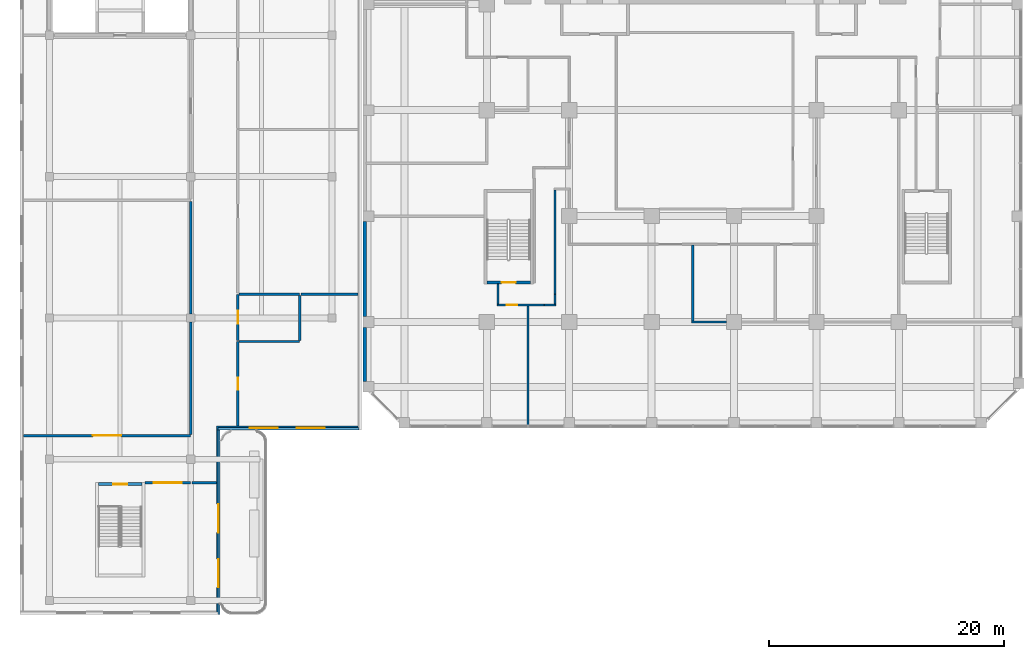
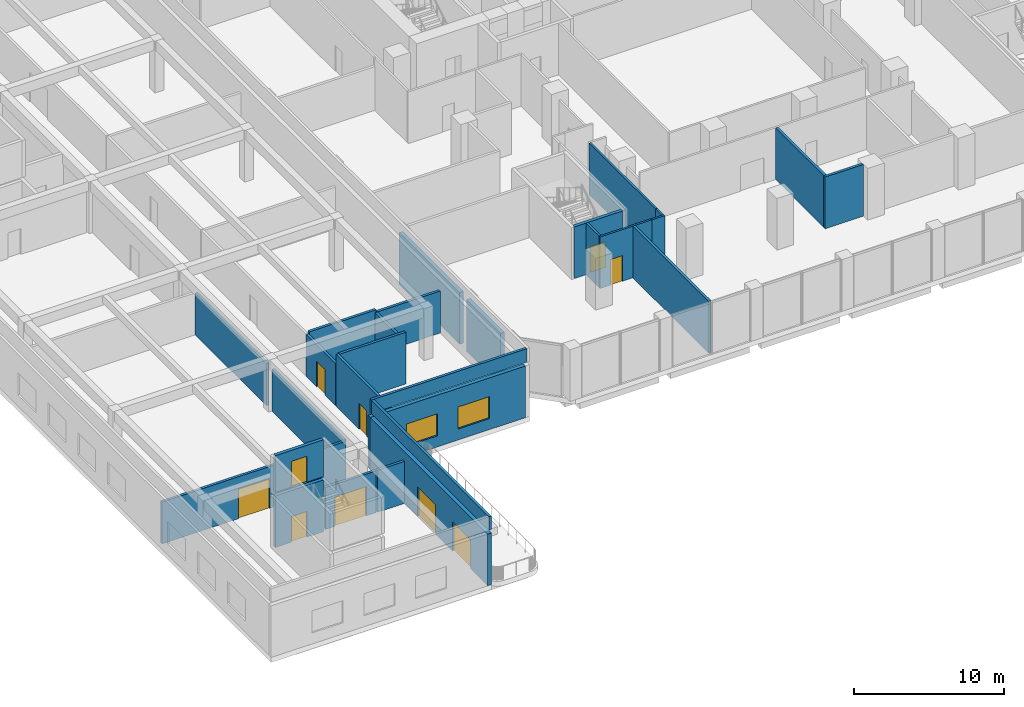
# One storey, part 13 of 35: 28 walls, 10 doors, 2 windows, 12 openings.
"""IFC4 building model written with IfcOpenShell, lengths in metres."""

from ifc_helpers import new_model, si_unit, direction, frame, frame_2d, origin, place, context, subcontext, project, spatial, rectangle, extrude, source, transform, mapped, material, layer, layer_set, type_object, element, fill, save


model = new_model("IFC4")

# Units and contexts
model_context = context("Model", 3, precision=1e-05, world=origin(), true_north=direction((0.0, 1.0)))
body_context = subcontext(model_context, "Body", "Model", "MODEL_VIEW")
ifc_project = project(units=[si_unit("LENGTHUNIT", "METRE"), si_unit("AREAUNIT", "SQUARE_METRE"), si_unit("VOLUMEUNIT", "CUBIC_METRE"), si_unit("PLANEANGLEUNIT", "RADIAN"), si_unit("MASSUNIT", "GRAM", prefix="KILO")], contexts=[model_context])

# Site, building, storey
site_placement = place(None, origin())
site = spatial("IfcSite", under=ifc_project, at=site_placement, CompositionType="ELEMENT")
building_placement = place(site_placement, origin())
building = spatial("IfcBuilding", under=site, at=building_placement, Name="Kilnfold Tower and Market Hall", CompositionType="ELEMENT")
storey_placement = place(building_placement, frame((0.0, 0.0, 22.5)))
storey = spatial("IfcBuildingStorey", under=building, at=storey_placement, Name="L04", CompositionType="ELEMENT", Elevation=22.5)

# Walls
ifc_material_1 = material(Name="Gypsum board on steel studs", Category="steel")
ifc_layer_1 = layer(ifc_material_1, 0.14990234375)
ifc_layer_set_1 = layer_set([ifc_layer_1], Name="Gypsum board on steel studs")
wall_type_1 = type_object("IfcWallType", Name="WALL CORRIDOR 150", PredefinedType="PARTITIONING", material=ifc_layer_set_1)
wall_1_placement = place(storey_placement, frame((-11.699951171875, -16.64794921875, 0.0), z_axis=(0.0, 0.0, 1.0), x_axis=(0.0, 1.0, 0.0)))
element("IfcWall", 1, at=wall_1_placement, inside=storey, type_object=wall_type_1, Name="Partition LY05.13", PredefinedType="PARTITIONING", context=body_context, shape_type="SweptSolid", body=[
    extrude(rectangle(XDim=8.873046875, YDim=0.14990234375, at=frame_2d((4.4365234375, 0.0))), origin(), (0.0, 0.0, 1.0), 4.219970703125),
])
wall_2_placement = place(storey_placement, frame((-11.697998046875, -17.47705078125, 0.0), z_axis=(0.0, 0.0, 1.0), x_axis=(0.0, 1.0, 0.0)))
element("IfcWall", 2, at=wall_2_placement, inside=storey, type_object=wall_type_1, Name="Partition LY05.14", PredefinedType="PARTITIONING", context=body_context, shape_type="SweptSolid", body=[
    extrude(rectangle(XDim=0.8291015625, YDim=0.14990234375, at=frame_2d((0.41455078125, 0.0))), origin(), (0.0, 0.0, 1.0), 4.219970703125),
])
wall_3_placement = place(storey_placement, frame((-12.60205078125, -17.552001953125, 0.0), z_axis=(0.0, 0.0, 1.0), x_axis=(1.0, 0.0, 0.0)))
element("IfcWall", 3, at=wall_3_placement, inside=storey, type_object=wall_type_1, Name="Partition LY05.15", PredefinedType="PARTITIONING", context=body_context, shape_type="SweptSolid", body=[
    extrude(rectangle(XDim=0.97900390625, YDim=0.14990234375, at=frame_2d((0.489501953125, 0.0))), origin(), (0.0, 0.0, 1.0), 4.219970703125),
])

# Wall, opening, door
wall_4_placement = place(storey_placement, frame((-16.625, -17.550048828125, 0.0), z_axis=(0.0, 0.0, 1.0), x_axis=(1.0, 0.0, 0.0)))
wall_4 = element("IfcWall", 4, at=wall_4_placement, inside=storey, type_object=wall_type_1, Name="Partition LY05.16", PredefinedType="PARTITIONING", context=body_context, shape_type="SweptSolid", body=[
    extrude(rectangle(XDim=4.02294921875, YDim=0.14990234375, at=frame_2d((2.011474609375, 0.0))), origin(), (0.0, 0.0, 1.0), 4.219970703125),
])
opening_1_placement = place(wall_4_placement, frame((0.81591796875, 0.0, 0.0)))
opening_1 = element("IfcOpeningElement", 5, at=opening_1_placement, cuts=wall_4, Name="Opening D3", PredefinedType="OPENING", context=body_context, shape_type="SweptSolid", body=[
    extrude(rectangle(XDim=0.89990234375, YDim=2.10009765625, at=frame_2d((0.449951171875, 1.050048828125))), frame((0.0, 0.0849609375, 0.0), z_axis=(0.0, -1.0, 0.0), x_axis=(1.0, 0.0, 0.0)), (0.0, 0.0, 1.0), 0.169921875),
])
ifc_material_2 = material(Name="Timber veneer door leaf in steel frame", Category="steel")
door_type_1 = type_object("IfcDoorType", Name="DOOR WC 900 X2100", OperationType="NOTDEFINED", PredefinedType="DOOR", material=ifc_material_2)
door_1_placement = place(opening_1_placement, origin())
door_1 = element("IfcDoor", 6, at=door_1_placement, inside=storey, type_object=door_type_1, Name="Door D3", OperationType="SINGLE_SWING_LEFT", OverallHeight=2.10009765625, OverallWidth=0.89990234375, PredefinedType="DOOR", context=body_context, shape_type="SweptSolid", body=[
    extrude(rectangle(XDim=0.89990234375, YDim=2.10009765625, at=frame_2d((0.449951171875, 1.050048828125))), frame((0.0, 0.02490234375, 0.0), z_axis=(0.0, -1.0, 0.0), x_axis=(1.0, 0.0, 0.0)), (0.0, 0.0, 1.0), 0.050048828125),
])
fill(opening_1, door_1)

# Walls
wall_5_placement = place(storey_placement, frame((-16.550048828125, -15.75, 0.0), z_axis=(0.0, 0.0, 1.0), x_axis=(0.0, -1.0, 0.0)))
element("IfcWall", 7, at=wall_5_placement, inside=storey, type_object=wall_type_1, Name="Partition LY05.17", PredefinedType="PARTITIONING", context=body_context, shape_type="SweptSolid", body=[
    extrude(rectangle(XDim=1.72509765625, YDim=0.14990234375, at=frame_2d((0.862548828125, 0.0))), origin(), (0.0, 0.0, 1.0), 4.219970703125),
])
ifc_material_3 = material(Name="Gypsum board on steel studs", Category="steel")
ifc_layer_2 = layer(ifc_material_3, 0.199951171875)
ifc_layer_set_2 = layer_set([ifc_layer_2], Name="Gypsum board on steel studs")
wall_type_2 = type_object("IfcWallType", Name="WALL PARTY 200", PredefinedType="PARTITIONING", material=ifc_layer_set_2)
wall_6_placement = place(storey_placement, frame((-14.0, -27.75, 0.0), z_axis=(0.0, 0.0, 1.0), x_axis=(0.0, 1.0, 0.0)))
element("IfcWall", 8, at=wall_6_placement, inside=storey, type_object=wall_type_2, Name="Partition LY05.44", PredefinedType="PARTITIONING", context=body_context, shape_type="SweptSolid", body=[
    extrude(rectangle(XDim=10.1240234375, YDim=0.199951171875, at=frame_2d((5.06201171875, 0.0))), origin(), (0.0, 0.0, 1.0), 4.219970703125),
])
wall_7_placement = place(storey_placement, frame((0.0, -18.89990234375, 0.0), z_axis=(0.0, 0.0, 1.0), x_axis=(0.0, 1.0, 0.0)))
element("IfcWall", 9, at=wall_7_placement, inside=storey, type_object=wall_type_2, Name="Partition LY05.45", PredefinedType="PARTITIONING", context=body_context, shape_type="SweptSolid", body=[
    extrude(rectangle(XDim=6.423828125, YDim=0.199951171875, at=frame_2d((3.2119140625, 0.0))), origin(), (0.0, 0.0, 1.0), 4.219970703125),
])
wall_8_placement = place(storey_placement, frame((-0.10009765625, -19.0, 0.0), z_axis=(0.0, 0.0, 1.0), x_axis=(1.0, 0.0, 0.0)))
element("IfcWall", 10, at=wall_8_placement, inside=storey, type_object=wall_type_2, Name="Partition LY05.46", PredefinedType="PARTITIONING", context=body_context, shape_type="SweptSolid", body=[
    extrude(rectangle(XDim=2.9501953125, YDim=0.199951171875, at=frame_2d((1.47509765625, 0.0))), origin(), (0.0, 0.0, 1.0), 4.219970703125),
])

# Wall, opening, door
ifc_material_4 = material(Name="Concrete C80", Category="concrete")
ifc_layer_3 = layer(ifc_material_4, 0.25)
ifc_layer_set_3 = layer_set([ifc_layer_3], Name="Concrete C80")
wall_type_3 = type_object("IfcWallType", Name="CORE WALL 250 C80", PredefinedType="SHEAR", material=ifc_layer_set_3)
shared_shape_1 = source(origin(), body_context, "Body", "SweptSolid", [
    extrude(rectangle(XDim=3.699951171875, YDim=0.25, at=frame_2d((1.85009765625, 0.0))), origin(), (0.0, 0.0, 1.0), 4.219970703125),
])
wall_9_placement = place(storey_placement, frame((-17.5, -15.625, 0.0), z_axis=(0.0, 0.0, 1.0), x_axis=(1.0, 0.0, 0.0)))
wall_9 = element("IfcWall", 11, at=wall_9_placement, inside=storey, type_object=wall_type_3, Name="Stair enclosure ST3", PredefinedType="SHEAR", context=body_context, shape_type="MappedRepresentation", body=[
    mapped(shared_shape_1, transform((0.0, 0.0, 0.0))),
])
opening_2_placement = place(wall_9_placement, frame((1.25, 0.0, 0.0)))
opening_2 = element("IfcOpeningElement", 12, at=opening_2_placement, cuts=wall_9, Name="Opening SD1", PredefinedType="OPENING", context=body_context, shape_type="SweptSolid", body=[
    extrude(rectangle(XDim=1.199951171875, YDim=2.10009765625, at=frame_2d((0.60009765625, 1.050048828125))), frame((0.0, 0.135009765625, 0.0), z_axis=(0.0, -1.0, 0.0), x_axis=(1.0, 0.0, 0.0)), (0.0, 0.0, 1.0), 0.27001953125),
])
ifc_material_5 = material(Name="Steel door set with fire-resisting leaf", Category="steel")
door_type_2 = type_object("IfcDoorType", Name="STAIR FLOOR DOOR 1200X2100", OperationType="NOTDEFINED", PredefinedType="DOOR", material=ifc_material_5)
door_2_placement = place(opening_2_placement, origin())
door_2 = element("IfcDoor", 13, at=door_2_placement, inside=storey, type_object=door_type_2, Name="Exit stair ST3 door", OperationType="DOUBLE_DOOR_SINGLE_SWING", OverallHeight=2.10009765625, OverallWidth=1.199951171875, PredefinedType="DOOR", context=body_context, shape_type="SweptSolid", body=[
    extrude(rectangle(XDim=1.199951171875, YDim=2.10009765625, at=frame_2d((0.60009765625, 1.050048828125))), frame((0.0, 0.02490234375, 0.0), z_axis=(0.0, -1.0, 0.0), x_axis=(1.0, 0.0, 0.0)), (0.0, 0.0, 1.0), 0.050048828125),
])
fill(opening_2, door_2)

ifc_material_6 = material(Name="Concrete C50/60", Category="concrete")
ifc_layer_4 = layer(ifc_material_6, 0.25)
ifc_layer_set_4 = layer_set([ifc_layer_4], Name="Concrete C50/60")
wall_type_4 = type_object("IfcWallType", Name="HALL CORE WALL 250", PredefinedType="SHEAR", material=ifc_layer_set_4)
wall_10_placement = place(storey_placement, frame((-50.5, -32.77490234375, 0.0), z_axis=(0.0, 0.0, 1.0), x_axis=(1.0, 0.0, 0.0)))
wall_10 = element("IfcWall", 14, at=wall_10_placement, inside=storey, type_object=wall_type_4, Name="Core wall MS1", PredefinedType="SHEAR", context=body_context, shape_type="MappedRepresentation", body=[
    mapped(shared_shape_1, transform((0.0, 0.0, 0.0))),
])
opening_3_placement = place(wall_10_placement, frame((1.25, 0.0, 0.0)))
opening_3 = element("IfcOpeningElement", 15, at=opening_3_placement, cuts=wall_10, Name="Opening MD9-60", PredefinedType="OPENING", context=body_context, shape_type="SweptSolid", body=[
    extrude(rectangle(XDim=1.199951171875, YDim=2.10009765625, at=frame_2d((0.60009765625, 1.050048828125))), frame((0.0, 0.135009765625, 0.0), z_axis=(0.0, -1.0, 0.0), x_axis=(1.0, 0.0, 0.0)), (0.0, 0.0, 1.0), 0.27001953125),
])
ifc_material_7 = material(Name="Steel S355", Category="steel")
door_type_3 = type_object("IfcDoorType", Name="HALL DOOR STAIR 1200X2100 FD60", OperationType="NOTDEFINED", PredefinedType="DOOR", material=ifc_material_7)
door_3_placement = place(opening_3_placement, origin())
door_3 = element("IfcDoor", 16, at=door_3_placement, inside=storey, type_object=door_type_3, Name="Door MD9-60", OperationType="DOUBLE_DOOR_SINGLE_SWING", OverallHeight=2.10009765625, OverallWidth=1.199951171875, PredefinedType="DOOR", context=body_context, shape_type="SweptSolid", body=[
    extrude(rectangle(XDim=1.199951171875, YDim=2.10009765625, at=frame_2d((0.60009765625, 1.050048828125))), frame((0.0, 0.02490234375, 0.0), z_axis=(0.0, -1.0, 0.0), x_axis=(1.0, 0.0, 0.0)), (0.0, 0.0, 1.0), 0.050048828125),
])
fill(opening_3, door_3)

# Walls
ifc_material_8 = material(Name="Precast concrete C50/60", Category="concrete")
ifc_layer_5 = layer(ifc_material_8, 0.300048828125)
ifc_layer_set_5 = layer_set([ifc_layer_5], Name="Precast concrete C50/60")
wall_type_5 = type_object("IfcWallType", Name="PRECAST WALL 300", PredefinedType="SOLIDWALL", material=ifc_layer_set_5)
shared_shape_2 = source(origin(), body_context, "Body", "SweptSolid", [
    extrude(rectangle(XDim=8.10009765625, YDim=0.300048828125, at=frame_2d((4.050048828125, 0.0))), origin(), (0.0, 0.0, 1.0), 4.219970703125),
])
wall_11_placement = place(storey_placement, frame((-27.85009765625, -10.449951171875, 0.0), z_axis=(0.0, 0.0, 1.0), x_axis=(0.0, -1.0, 0.0)))
element("IfcWall", 17, at=wall_11_placement, inside=storey, type_object=wall_type_5, Name="Party wall L04 W", PredefinedType="SOLIDWALL", context=body_context, shape_type="MappedRepresentation", body=[
    mapped(shared_shape_2, transform((0.0, 0.0, 0.0))),
])
shared_shape_3 = source(origin(), body_context, "Body", "SweptSolid", [
    extrude(rectangle(XDim=4.60009765625, YDim=0.300048828125, at=frame_2d((2.300048828125, 0.0))), origin(), (0.0, 0.0, 1.0), 4.219970703125),
])
wall_12_placement = place(storey_placement, frame((-27.85009765625, -19.449951171875, 0.0), z_axis=(0.0, 0.0, 1.0), x_axis=(0.0, -1.0, 0.0)))
element("IfcWall", 18, at=wall_12_placement, inside=storey, type_object=wall_type_5, Name="Party wall L04 W", PredefinedType="SOLIDWALL", context=body_context, shape_type="MappedRepresentation", body=[
    mapped(shared_shape_3, transform((0.0, 0.0, 0.0))),
])

# Wall, openings, windows
ifc_material_9 = material(Name="Concrete blockwork", Category="masonry")
ifc_layer_6 = layer(ifc_material_9, 0.300048828125)
ifc_layer_set_6 = layer_set([ifc_layer_6], Name="Concrete blockwork")
wall_type_6 = type_object("IfcWallType", Name="HALL EXTERNAL WALL 300 EI 60", PredefinedType="SOLIDWALL", material=ifc_layer_set_6)
shared_shape_4 = source(origin(), body_context, "Body", "SweptSolid", [
    extrude(rectangle(XDim=12.0, YDim=0.300048828125, at=frame_2d((6.0, 0.0))), origin(), (0.0, 0.0, 1.0), 4.219970703125),
])
wall_13_placement = place(storey_placement, frame((-28.449951171875, -28.0, 0.0), z_axis=(0.0, 0.0, 1.0), x_axis=(-1.0, 0.0, 0.0)))
wall_13 = element("IfcWall", 19, at=wall_13_placement, inside=storey, type_object=wall_type_6, Name="External wall MEW-L04.8", PredefinedType="SOLIDWALL", context=body_context, shape_type="MappedRepresentation", body=[
    mapped(shared_shape_4, transform((0.0, 0.0, 0.0))),
])
opening_4_placement = place(wall_13_placement, frame((2.800048828125, 0.0, 0.89990234375)))
opening_4 = element("IfcOpeningElement", 20, at=opening_4_placement, cuts=wall_13, Name="Opening MEN3", PredefinedType="OPENING", context=body_context, shape_type="SweptSolid", body=[
    extrude(rectangle(XDim=2.39990234375, YDim=1.800048828125, at=frame_2d((1.199951171875, 0.89990234375))), frame((0.0, 0.16015625, 0.0), z_axis=(0.0, -1.0, 0.0), x_axis=(1.0, 0.0, 0.0)), (0.0, 0.0, 1.0), 0.320068359375),
])
opening_5_placement = place(wall_13_placement, frame((6.800048828125, 0.0, 0.89990234375)))
opening_5 = element("IfcOpeningElement", 21, at=opening_5_placement, cuts=wall_13, Name="Opening MEN3", PredefinedType="OPENING", context=body_context, shape_type="SweptSolid", body=[
    extrude(rectangle(XDim=2.39990234375, YDim=1.800048828125, at=frame_2d((1.199951171875, 0.89990234375))), frame((0.0, 0.16015625, 0.0), z_axis=(0.0, -1.0, 0.0), x_axis=(1.0, 0.0, 0.0)), (0.0, 0.0, 1.0), 0.320068359375),
])
ifc_material_10 = material(Name="Aluminium glazing", Category="aluminium")
window_type = type_object("IfcWindowType", Name="HALL WINDOW 2400X1800", PartitioningType="SINGLE_PANEL", PredefinedType="WINDOW", material=ifc_material_10)
window_1_placement = place(opening_4_placement, origin())
window_1 = element("IfcWindow", 22, at=window_1_placement, inside=storey, type_object=window_type, Name="Window upper", OverallHeight=1.800048828125, OverallWidth=2.39990234375, PartitioningType="SINGLE_PANEL", PredefinedType="WINDOW", context=body_context, shape_type="SweptSolid", body=[
    extrude(rectangle(XDim=2.39990234375, YDim=1.800048828125, at=frame_2d((1.199951171875, 0.89990234375))), frame((0.0, 0.030029296875, 0.0), z_axis=(0.0, -1.0, 0.0), x_axis=(1.0, 0.0, 0.0)), (0.0, 0.0, 1.0), 0.06005859375),
])
fill(opening_4, window_1)
window_2_placement = place(opening_5_placement, origin())
window_2 = element("IfcWindow", 23, at=window_2_placement, inside=storey, type_object=window_type, Name="Window upper", OverallHeight=1.800048828125, OverallWidth=2.39990234375, PartitioningType="SINGLE_PANEL", PredefinedType="WINDOW", context=body_context, shape_type="SweptSolid", body=[
    extrude(rectangle(XDim=2.39990234375, YDim=1.800048828125, at=frame_2d((1.199951171875, 0.89990234375))), frame((0.0, 0.030029296875, 0.0), z_axis=(0.0, -1.0, 0.0), x_axis=(1.0, 0.0, 0.0)), (0.0, 0.0, 1.0), 0.06005859375),
])
fill(opening_5, window_2)

# Wall, openings, doors
shared_shape_5 = source(origin(), body_context, "Body", "SweptSolid", [
    extrude(rectangle(XDim=15.7001953125, YDim=0.300048828125, at=frame_2d((7.85009765625, 0.0))), origin(), (0.0, 0.0, 1.0), 4.219970703125),
])
wall_14_placement = place(storey_placement, frame((-40.300048828125, -28.14990234375, 0.0), z_axis=(0.0, 0.0, 1.0), x_axis=(0.0, -1.0, 0.0)))
wall_14 = element("IfcWall", 24, at=wall_14_placement, inside=storey, type_object=wall_type_6, Name="External wall MEW-L04.9", PredefinedType="SOLIDWALL", context=body_context, shape_type="MappedRepresentation", body=[
    mapped(shared_shape_5, transform((0.0, 0.0, 0.0))),
])
opening_6_placement = place(wall_14_placement, frame((6.326416015625, 0.0, 0.0)))
opening_6 = element("IfcOpeningElement", 25, at=opening_6_placement, cuts=wall_14, Name="Opening MED2", PredefinedType="OPENING", context=body_context, shape_type="SweptSolid", body=[
    extrude(rectangle(XDim=2.39990234375, YDim=2.39990234375, at=frame_2d((1.199951171875, 1.199951171875))), frame((0.0, 0.16015625, 0.0), z_axis=(0.0, -1.0, 0.0), x_axis=(1.0, 0.0, 0.0)), (0.0, 0.0, 1.0), 0.320068359375),
])
opening_7_placement = place(wall_14_placement, frame((10.9970703125, 0.0, 0.0)))
opening_7 = element("IfcOpeningElement", 26, at=opening_7_placement, cuts=wall_14, Name="Opening MED2", PredefinedType="OPENING", context=body_context, shape_type="SweptSolid", body=[
    extrude(rectangle(XDim=2.39990234375, YDim=2.39990234375, at=frame_2d((1.199951171875, 1.199951171875))), frame((0.0, 0.16015625, 0.0), z_axis=(0.0, -1.0, 0.0), x_axis=(1.0, 0.0, 0.0)), (0.0, 0.0, 1.0), 0.320068359375),
])
ifc_material_11 = material(Name="Aluminium glazing", Category="aluminium")
door_type_4 = type_object("IfcDoorType", Name="DECK DOOR 2400X2400", OperationType="NOTDEFINED", PredefinedType="DOOR", material=ifc_material_11)
door_4_placement = place(opening_6_placement, origin())
door_4 = element("IfcDoor", 27, at=door_4_placement, inside=storey, type_object=door_type_4, Name="Terrace door MED2", OperationType="DOUBLE_DOOR_SINGLE_SWING", OverallHeight=2.39990234375, OverallWidth=2.39990234375, PredefinedType="DOOR", context=body_context, shape_type="SweptSolid", body=[
    extrude(rectangle(XDim=2.39990234375, YDim=2.39990234375, at=frame_2d((1.199951171875, 1.199951171875))), frame((0.0, 0.02490234375, 0.0), z_axis=(0.0, -1.0, 0.0), x_axis=(1.0, 0.0, 0.0)), (0.0, 0.0, 1.0), 0.050048828125),
])
fill(opening_6, door_4)
door_5_placement = place(opening_7_placement, origin())
door_5 = element("IfcDoor", 28, at=door_5_placement, inside=storey, type_object=door_type_4, Name="Terrace door MED2", OperationType="DOUBLE_DOOR_SINGLE_SWING", OverallHeight=2.39990234375, OverallWidth=2.39990234375, PredefinedType="DOOR", context=body_context, shape_type="SweptSolid", body=[
    extrude(rectangle(XDim=2.39990234375, YDim=2.39990234375, at=frame_2d((1.199951171875, 1.199951171875))), frame((0.0, 0.02490234375, 0.0), z_axis=(0.0, -1.0, 0.0), x_axis=(1.0, 0.0, 0.0)), (0.0, 0.0, 1.0), 0.050048828125),
])
fill(opening_7, door_5)

# Walls
ifc_material_12 = material(Name="Concrete C40/50", Category="concrete")
ifc_layer_7 = layer(ifc_material_12, 0.199951171875)
ifc_layer_set_7 = layer_set([ifc_layer_7], Name="Concrete C40/50")
wall_type_7 = type_object("IfcWallType", Name="HALL PARAPET 200", PredefinedType="PARAPET", material=ifc_layer_set_7)
shared_shape_6 = source(origin(), body_context, "Body", "SweptSolid", [
    extrude(rectangle(XDim=12.0, YDim=0.199951171875, at=frame_2d((6.0, 0.0))), origin(), (0.0, 0.0, 1.0), 1.10009765625),
])
wall_15_placement = place(storey_placement, frame((-28.35009765625, -28.050048828125, 4.5), z_axis=(0.0, 0.0, 1.0), x_axis=(-1.0, 0.0, 0.0)))
element("IfcWall", 29, at=wall_15_placement, inside=storey, type_object=wall_type_7, Name="Roof parapet", PredefinedType="PARAPET", context=body_context, shape_type="MappedRepresentation", body=[
    mapped(shared_shape_6, transform((0.0, 0.0, 0.0))),
])
shared_shape_7 = source(origin(), body_context, "Body", "SweptSolid", [
    extrude(rectangle(XDim=15.7001953125, YDim=0.199951171875, at=frame_2d((7.85009765625, 0.0))), origin(), (0.0, 0.0, 1.0), 1.10009765625),
])
wall_16_placement = place(storey_placement, frame((-40.25, -28.14990234375, 4.5), z_axis=(0.0, 0.0, 1.0), x_axis=(0.0, -1.0, 0.0)))
element("IfcWall", 30, at=wall_16_placement, inside=storey, type_object=wall_type_7, Name="Roof parapet", PredefinedType="PARAPET", context=body_context, shape_type="MappedRepresentation", body=[
    mapped(shared_shape_7, transform((0.0, 0.0, 0.0))),
])

# Wall, opening, door
ifc_material_13 = material(Name="Concrete C50/60", Category="concrete")
ifc_layer_8 = layer(ifc_material_13, 0.25)
ifc_layer_set_8 = layer_set([ifc_layer_8], Name="Concrete C50/60")
wall_type_8 = type_object("IfcWallType", Name="HEADHOUSE WALL 250", PredefinedType="SOLIDWALL", material=ifc_layer_set_8)
shared_shape_8 = source(origin(), body_context, "Body", "SweptSolid", [
    extrude(rectangle(XDim=3.699951171875, YDim=0.25, at=frame_2d((1.85009765625, 0.0))), origin(), (0.0, 0.0, 1.0), 3.0),
])
wall_17_placement = place(storey_placement, frame((-50.5, -32.77490234375, 4.5), z_axis=(0.0, 0.0, 1.0), x_axis=(1.0, 0.0, 0.0)))
wall_17 = element("IfcWall", 31, at=wall_17_placement, inside=storey, type_object=wall_type_8, Name="Stair head-house wall MS1", PredefinedType="SOLIDWALL", context=body_context, shape_type="MappedRepresentation", body=[
    mapped(shared_shape_8, transform((0.0, 0.0, 0.0))),
])
opening_8_placement = place(wall_17_placement, frame((1.25, 0.0, 0.0)))
opening_8 = element("IfcOpeningElement", 32, at=opening_8_placement, cuts=wall_17, Name="Opening MED4", PredefinedType="OPENING", context=body_context, shape_type="SweptSolid", body=[
    extrude(rectangle(XDim=1.199951171875, YDim=2.10009765625, at=frame_2d((0.60009765625, 1.050048828125))), frame((0.0, 0.135009765625, 0.0), z_axis=(0.0, -1.0, 0.0), x_axis=(1.0, 0.0, 0.0)), (0.0, 0.0, 1.0), 0.27001953125),
])
ifc_material_14 = material(Name="Steel S355", Category="steel")
door_type_5 = type_object("IfcDoorType", Name="HEADHOUSE DOOR 1200X2100 FD60", OperationType="NOTDEFINED", PredefinedType="DOOR", material=ifc_material_14)
door_6_placement = place(opening_8_placement, origin())
door_6 = element("IfcDoor", 33, at=door_6_placement, inside=storey, type_object=door_type_5, Name="Head-house door", OperationType="DOUBLE_DOOR_SINGLE_SWING", OverallHeight=2.10009765625, OverallWidth=1.199951171875, PredefinedType="DOOR", context=body_context, shape_type="SweptSolid", body=[
    extrude(rectangle(XDim=1.199951171875, YDim=2.10009765625, at=frame_2d((0.60009765625, 1.050048828125))), frame((0.0, 0.02490234375, 0.0), z_axis=(0.0, -1.0, 0.0), x_axis=(1.0, 0.0, 0.0)), (0.0, 0.0, 1.0), 0.050048828125),
])
fill(opening_8, door_6)

ifc_material_15 = material(Name="Concrete blockwork", Category="masonry")
ifc_layer_9 = layer(ifc_material_15, 0.199951171875)
ifc_layer_set_9 = layer_set([ifc_layer_9], Name="Concrete blockwork")
wall_type_9 = type_object("IfcWallType", Name="HALL PARTITION 200 EI 60", PredefinedType="PARTITIONING", material=ifc_layer_set_9)
shared_shape_9 = source(origin(), body_context, "Body", "SweptSolid", [
    extrude(rectangle(XDim=14.2001953125, YDim=0.199951171875, at=frame_2d((7.10009765625, 0.0))), origin(), (0.0, 0.0, 1.0), 3.419921875),
])
wall_18_placement = place(storey_placement, frame((-56.85009765625, -28.64990234375, 0.0), z_axis=(0.0, 0.0, 1.0), x_axis=(1.0, 0.0, 0.0)))
wall_18 = element("IfcWall", 34, at=wall_18_placement, inside=storey, type_object=wall_type_9, Name="Partition W-MH-L04.1", PredefinedType="PARTITIONING", context=body_context, shape_type="MappedRepresentation", body=[
    mapped(shared_shape_9, transform((0.0, 0.0, 0.0))),
])
opening_9_placement = place(wall_18_placement, frame((5.89990234375, 0.0, 0.0)))
opening_9 = element("IfcOpeningElement", 35, at=opening_9_placement, cuts=wall_18, Name="Opening MD7-60", PredefinedType="OPENING", context=body_context, shape_type="SweptSolid", body=[
    extrude(rectangle(XDim=2.39990234375, YDim=2.39990234375, at=frame_2d((1.199951171875, 1.199951171875))), frame((0.0, 0.10986328125, 0.0), z_axis=(0.0, -1.0, 0.0), x_axis=(1.0, 0.0, 0.0)), (0.0, 0.0, 1.0), 0.219970703125),
])
ifc_material_16 = material(Name="Aluminium glazing", Category="aluminium")
door_type_6 = type_object("IfcDoorType", Name="HALL DOOR HALL 2400X2400 FD60", OperationType="NOTDEFINED", PredefinedType="DOOR", material=ifc_material_16)
door_7_placement = place(opening_9_placement, origin())
door_7 = element("IfcDoor", 36, at=door_7_placement, inside=storey, type_object=door_type_6, Name="Door MD7-60", OperationType="DOUBLE_DOOR_SINGLE_SWING", OverallHeight=2.39990234375, OverallWidth=2.39990234375, PredefinedType="DOOR", context=body_context, shape_type="SweptSolid", body=[
    extrude(rectangle(XDim=2.39990234375, YDim=2.39990234375, at=frame_2d((1.199951171875, 1.199951171875))), frame((0.0, 0.02490234375, 0.0), z_axis=(0.0, -1.0, 0.0), x_axis=(1.0, 0.0, 0.0)), (0.0, 0.0, 1.0), 0.050048828125),
])
fill(opening_9, door_7)

shared_shape_10 = source(origin(), body_context, "Body", "SweptSolid", [
    extrude(rectangle(XDim=3.900146484375, YDim=0.199951171875, at=frame_2d((1.9501953125, 0.0))), origin(), (0.0, 0.0, 1.0), 3.419921875),
])
wall_19_placement = place(storey_placement, frame((-42.64990234375, -32.64990234375, 0.0), z_axis=(0.0, 0.0, 1.0), x_axis=(-1.0, 0.0, 0.0)))
wall_19 = element("IfcWall", 37, at=wall_19_placement, inside=storey, type_object=wall_type_9, Name="Partition W-MH-L04.6", PredefinedType="PARTITIONING", context=body_context, shape_type="MappedRepresentation", body=[
    mapped(shared_shape_10, transform((0.0, 0.0, 0.0))),
])
opening_10_placement = place(wall_19_placement, frame((0.75, 0.0, 0.0)))
opening_10 = element("IfcOpeningElement", 38, at=opening_10_placement, cuts=wall_19, Name="Opening MD7-60", PredefinedType="OPENING", context=body_context, shape_type="SweptSolid", body=[
    extrude(rectangle(XDim=2.39990234375, YDim=2.39990234375, at=frame_2d((1.199951171875, 1.199951171875))), frame((0.0, 0.10986328125, 0.0), z_axis=(0.0, -1.0, 0.0), x_axis=(1.0, 0.0, 0.0)), (0.0, 0.0, 1.0), 0.219970703125),
])
door_8_placement = place(opening_10_placement, origin())
door_8 = element("IfcDoor", 39, at=door_8_placement, inside=storey, type_object=door_type_6, Name="Door MD7-60", OperationType="DOUBLE_DOOR_SINGLE_SWING", OverallHeight=2.39990234375, OverallWidth=2.39990234375, PredefinedType="DOOR", context=body_context, shape_type="SweptSolid", body=[
    extrude(rectangle(XDim=2.39990234375, YDim=2.39990234375, at=frame_2d((1.199951171875, 1.199951171875))), frame((0.0, 0.02490234375, 0.0), z_axis=(0.0, -1.0, 0.0), x_axis=(1.0, 0.0, 0.0)), (0.0, 0.0, 1.0), 0.050048828125),
])
fill(opening_10, door_8)

wall_20_placement = place(storey_placement, frame((-38.64990234375, -16.64990234375, 0.0), z_axis=(0.0, 0.0, 1.0), x_axis=(0.0, -1.0, 0.0)))
wall_20 = element("IfcWall", 40, at=wall_20_placement, inside=storey, type_object=wall_type_9, Name="Partition W-MH-L04.19", PredefinedType="PARTITIONING", context=body_context, shape_type="MappedRepresentation", body=[
    mapped(shared_shape_10, transform((0.0, 0.0, 0.0))),
])
opening_11_placement = place(wall_20_placement, frame((1.39990234375, 0.0, 0.0)))
opening_11 = element("IfcOpeningElement", 41, at=opening_11_placement, cuts=wall_20, Name="Opening MD2-60", PredefinedType="OPENING", context=body_context, shape_type="SweptSolid", body=[
    extrude(rectangle(XDim=1.10009765625, YDim=2.10009765625, at=frame_2d((0.550048828125, 1.050048828125))), frame((0.0, 0.10986328125, 0.0), z_axis=(0.0, -1.0, 0.0), x_axis=(1.0, 0.0, 0.0)), (0.0, 0.0, 1.0), 0.219970703125),
])
ifc_material_17 = material(Name="Timber", Category="wood")
door_type_7 = type_object("IfcDoorType", Name="HALL DOOR AWC 1100X2100 FD60", OperationType="NOTDEFINED", PredefinedType="DOOR", material=ifc_material_17)
door_9_placement = place(opening_11_placement, origin())
door_9 = element("IfcDoor", 42, at=door_9_placement, inside=storey, type_object=door_type_7, Name="Door MD2-60", OperationType="SINGLE_SWING_LEFT", OverallHeight=2.10009765625, OverallWidth=1.10009765625, PredefinedType="DOOR", context=body_context, shape_type="SweptSolid", body=[
    extrude(rectangle(XDim=1.10009765625, YDim=2.10009765625, at=frame_2d((0.550048828125, 1.050048828125))), frame((0.0, 0.02490234375, 0.0), z_axis=(0.0, -1.0, 0.0), x_axis=(1.0, 0.0, 0.0)), (0.0, 0.0, 1.0), 0.050048828125),
])
fill(opening_11, door_9)

# Walls
shared_shape_11 = source(origin(), body_context, "Body", "SweptSolid", [
    extrude(rectangle(XDim=9.550048828125, YDim=0.199951171875, at=frame_2d((4.77490234375, 0.0))), origin(), (0.0, 0.0, 1.0), 3.419921875),
])
for number, where, z_axis, x_axis, name in (
    (43, (-42.64990234375, -28.550048828125, 0.0), (0.0, 0.0, 1.0), (0.0, 1.0, 0.0), "Partition W-MH-L04.7"),
    (44, (-42.64990234375, -18.300048828125, 0.0), (0.0, 0.0, 1.0), (0.0, 1.0, 0.0), "Partition W-MH-L04.8"),
):
    element("IfcWall", number, at=place(storey_placement, frame(where, z_axis=z_axis, x_axis=x_axis)), inside=storey, type_object=wall_type_9, Name=name, PredefinedType="PARTITIONING", context=body_context, shape_type="MappedRepresentation", body=[
        mapped(shared_shape_11, transform((0.0, 0.0, 0.0))),
    ])
shared_shape_12 = source(origin(), body_context, "Body", "SweptSolid", [
    extrude(rectangle(XDim=2.10009765625, YDim=0.199951171875, at=frame_2d((1.050048828125, 0.0))), origin(), (0.0, 0.0, 1.0), 3.419921875),
])
wall_21_placement = place(storey_placement, frame((-40.449951171875, -32.64990234375, 0.0), z_axis=(0.0, 0.0, 1.0), x_axis=(-1.0, 0.0, 0.0)))
element("IfcWall", 45, at=wall_21_placement, inside=storey, type_object=wall_type_9, Name="Partition W-MH-L04.16", PredefinedType="PARTITIONING", context=body_context, shape_type="MappedRepresentation", body=[
    mapped(shared_shape_12, transform((0.0, 0.0, 0.0))),
])

# Wall, opening, door
shared_shape_13 = source(origin(), body_context, "Body", "SweptSolid", [
    extrude(rectangle(XDim=7.2001953125, YDim=0.199951171875, at=frame_2d((3.60009765625, 0.0))), origin(), (0.0, 0.0, 1.0), 4.219970703125),
])
wall_22_placement = place(storey_placement, frame((-38.64990234375, -20.64990234375, 0.0), z_axis=(0.0, 0.0, 1.0), x_axis=(0.0, -1.0, 0.0)))
wall_22 = element("IfcWall", 46, at=wall_22_placement, inside=storey, type_object=wall_type_9, Name="Partition W-MH-L04.17", PredefinedType="PARTITIONING", context=body_context, shape_type="MappedRepresentation", body=[
    mapped(shared_shape_13, transform((0.0, 0.0, 0.0))),
])
opening_12_placement = place(wall_22_placement, frame((3.10009765625, 0.0, 0.0)))
opening_12 = element("IfcOpeningElement", 47, at=opening_12_placement, cuts=wall_22, Name="Opening MD6-60", PredefinedType="OPENING", context=body_context, shape_type="SweptSolid", body=[
    extrude(rectangle(XDim=1.0, YDim=2.10009765625, at=frame_2d((0.5, 1.050048828125))), frame((0.0, 0.10986328125, 0.0), z_axis=(0.0, -1.0, 0.0), x_axis=(1.0, 0.0, 0.0)), (0.0, 0.0, 1.0), 0.219970703125),
])
ifc_material_18 = material(Name="Timber", Category="wood")
door_type_8 = type_object("IfcDoorType", Name="HALL DOOR WC 1000X2100 FD60", OperationType="NOTDEFINED", PredefinedType="DOOR", material=ifc_material_18)
door_10_placement = place(opening_12_placement, origin())
door_10 = element("IfcDoor", 48, at=door_10_placement, inside=storey, type_object=door_type_8, Name="Door MD6-60", OperationType="SINGLE_SWING_RIGHT", OverallHeight=2.10009765625, OverallWidth=1.0, PredefinedType="DOOR", context=body_context, shape_type="SweptSolid", body=[
    extrude(rectangle(XDim=1.0, YDim=2.10009765625, at=frame_2d((0.5, 1.050048828125))), frame((0.0, 0.02490234375, 0.0), z_axis=(0.0, -1.0, 0.0), x_axis=(1.0, 0.0, 0.0)), (0.0, 0.0, 1.0), 0.050048828125),
])
fill(opening_12, door_10)

# Walls
shared_shape_14 = source(origin(), body_context, "Body", "SweptSolid", [
    extrude(rectangle(XDim=5.150146484375, YDim=0.199951171875, at=frame_2d((2.5751953125, 0.0))), origin(), (0.0, 0.0, 1.0), 4.219970703125),
])
wall_23_placement = place(storey_placement, frame((-38.550048828125, -20.64990234375, 0.0), z_axis=(0.0, 0.0, 1.0), x_axis=(1.0, 0.0, 0.0)))
element("IfcWall", 49, at=wall_23_placement, inside=storey, type_object=wall_type_9, Name="Partition W-MH-L04.18", PredefinedType="PARTITIONING", context=body_context, shape_type="MappedRepresentation", body=[
    mapped(shared_shape_14, transform((0.0, 0.0, 0.0))),
])
shared_shape_15 = source(origin(), body_context, "Body", "SweptSolid", [
    extrude(rectangle(XDim=5.150146484375, YDim=0.199951171875, at=frame_2d((2.5751953125, 0.0))), origin(), (0.0, 0.0, 1.0), 3.6201171875),
])
wall_24_placement = place(storey_placement, frame((-38.550048828125, -16.64990234375, 0.0), z_axis=(0.0, 0.0, 1.0), x_axis=(1.0, 0.0, 0.0)))
element("IfcWall", 50, at=wall_24_placement, inside=storey, type_object=wall_type_9, Name="Partition W-MH-L04.20", PredefinedType="PARTITIONING", context=body_context, shape_type="MappedRepresentation", body=[
    mapped(shared_shape_15, transform((0.0, 0.0, 0.0))),
])
shared_shape_16 = source(origin(), body_context, "Body", "SweptSolid", [
    extrude(rectangle(XDim=3.800048828125, YDim=0.199951171875, at=frame_2d((1.89990234375, 0.0))), origin(), (0.0, 0.0, 1.0), 3.419921875),
])
wall_25_placement = place(storey_placement, frame((-33.39990234375, -20.550048828125, 0.0), z_axis=(0.0, 0.0, 1.0), x_axis=(0.0, 1.0, 0.0)))
element("IfcWall", 51, at=wall_25_placement, inside=storey, type_object=wall_type_9, Name="Partition W-MH-L04.28", PredefinedType="PARTITIONING", context=body_context, shape_type="MappedRepresentation", body=[
    mapped(shared_shape_16, transform((0.0, 0.0, 0.0))),
])
shared_shape_17 = source(origin(), body_context, "Body", "SweptSolid", [
    extrude(rectangle(XDim=4.85009765625, YDim=0.199951171875, at=frame_2d((2.425048828125, 0.0))), origin(), (0.0, 0.0, 1.0), 3.419921875),
])
wall_26_placement = place(storey_placement, frame((-33.300048828125, -16.64990234375, 0.0), z_axis=(0.0, 0.0, 1.0), x_axis=(1.0, 0.0, 0.0)))
element("IfcWall", 52, at=wall_26_placement, inside=storey, type_object=wall_type_9, Name="Partition W-MH-L04.29", PredefinedType="PARTITIONING", context=body_context, shape_type="MappedRepresentation", body=[
    mapped(shared_shape_17, transform((0.0, 0.0, 0.0))),
])

save(model, "model.ifc")
